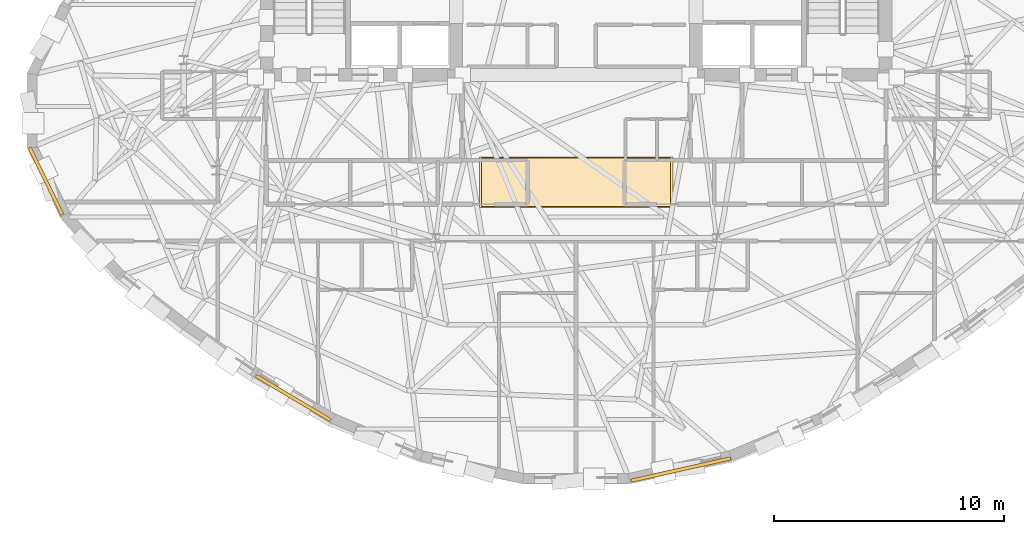
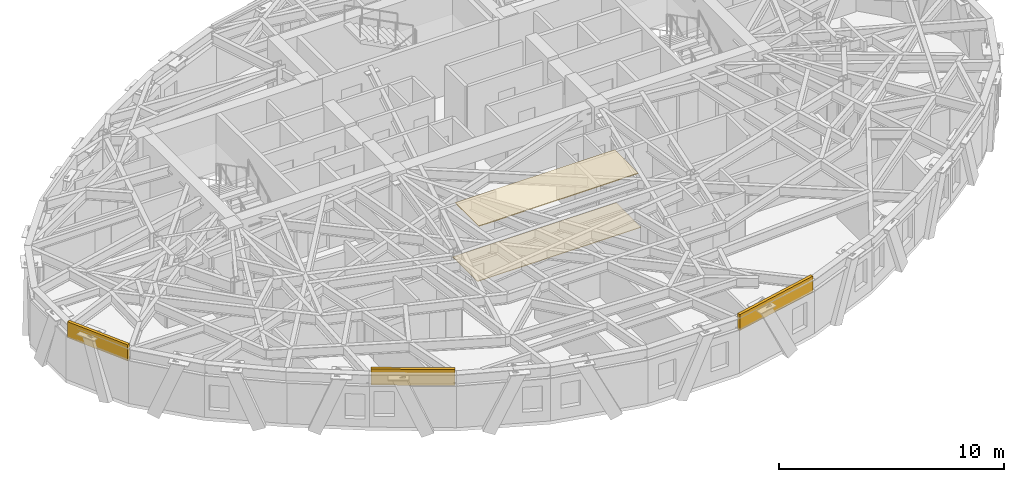
# One storey, part 11 of 13: 5 coverings.
"""IFC4 building model written with IfcOpenShell, lengths in metres."""

from ifc_helpers import new_model, si_unit, direction, frame, origin, origin_2d, place, context, subcontext, project, spatial, rectangle, extrude, material, layer, layer_set, type_object, element, save


model = new_model("IFC4")

# Units and contexts
model_context = context("Model", 3, precision=1e-05, world=origin(), true_north=direction((0.0, 1.0)))
body_context = subcontext(model_context, "Body", "Model", "MODEL_VIEW")
ifc_project = project(units=[si_unit("LENGTHUNIT", "METRE"), si_unit("AREAUNIT", "SQUARE_METRE"), si_unit("VOLUMEUNIT", "CUBIC_METRE"), si_unit("PLANEANGLEUNIT", "RADIAN"), si_unit("MASSUNIT", "GRAM", prefix="KILO")], contexts=[model_context])

# Site, building, storey
site_placement = place(None, origin())
site = spatial("IfcSite", under=ifc_project, at=site_placement, CompositionType="ELEMENT")
building_placement = place(site_placement, origin())
building = spatial("IfcBuilding", under=site, at=building_placement, Name="Keldmark Tower", CompositionType="ELEMENT")
storey_placement = place(building_placement, frame((0.0, 0.0, 210.0)))
storey = spatial("IfcBuildingStorey", under=building, at=storey_placement, Name="L58", CompositionType="ELEMENT", Elevation=210.0)

# Coverings
ifc_material_1 = material(Name="FSC-Certified Quarter-Sawn White Oak", Category="wood")
ifc_layer_1 = layer(ifc_material_1, 0.02197265625)
ifc_layer_set_1 = layer_set([ifc_layer_1], Name="FSC-Certified Quarter-Sawn White Oak")
covering_type_1 = type_object("IfcCoveringType", Name="Engineered White Oak Residence Flooring 22 mm", PredefinedType="FLOORING", material=ifc_layer_set_1)
covering_1_placement = place(storey_placement, frame((0.0, -3.10009765625, 0.0), z_axis=(0.0, 0.0, 1.0), x_axis=(1.0, 0.0, 0.0)))
element("IfcCovering", 1, at=covering_1_placement, inside=storey, type_object=covering_type_1, Name="L58 Lift Lobby Finish Flooring", PredefinedType="FLOORING", context=body_context, shape_type="SweptSolid", body=[
    extrude(rectangle(XDim=8.39990234375, YDim=2.199951171875, at=origin_2d()), origin(), (0.0, 0.0, 1.0), 0.030029296875),
])
ifc_material_2 = material(Name="Honed Kasota Buff Dolomitic Limestone", Category="masonry")
ifc_layer_2 = layer(ifc_material_2, 0.074951171875)
ifc_layer_set_2 = layer_set([ifc_layer_2], Name="Honed Kasota Buff Dolomitic Limestone")
covering_type_2 = type_object("IfcCoveringType", Name="Kasota Buff Limestone Spandrel Cladding Band", PredefinedType="CLADDING", material=ifc_layer_set_2)
covering_2_placement = place(storey_placement, frame((-23.0, -3.04833984375, 2.260009765625), z_axis=(0.0, 0.0, 1.0), x_axis=(0.439029879399, -0.898472462013, 0.0)))
element("IfcCovering", 2, at=covering_2_placement, inside=storey, type_object=covering_type_2, Name="L58 Kasota Limestone Spandrel Band 17", PredefinedType="CLADDING", context=body_context, shape_type="SweptSolid", body=[
    extrude(rectangle(XDim=3.22900390625, YDim=0.14990234375, at=origin_2d()), origin(), (0.0, 0.0, 1.0), 0.8701171875),
])
covering_3_placement = place(storey_placement, frame((-12.27197265625, -12.454345703125, 2.260009765625), z_axis=(0.0, 0.0, 1.0), x_axis=(0.859442104398, -0.511233086945, 0.0)))
element("IfcCovering", 3, at=covering_3_placement, inside=storey, type_object=covering_type_2, Name="L58 Kasota Limestone Spandrel Band 21", PredefinedType="CLADDING", context=body_context, shape_type="SweptSolid", body=[
    extrude(rectangle(XDim=3.744140625, YDim=0.14990234375, at=origin_2d()), origin(), (0.0, 0.0, 1.0), 0.8701171875),
])
covering_4_placement = place(storey_placement, frame((4.54150390625, -15.559814453125, 2.260009765625), z_axis=(0.0, 0.0, 1.0), x_axis=(0.97564952142, 0.219335385547, 0.0)))
element("IfcCovering", 4, at=covering_4_placement, inside=storey, type_object=covering_type_2, Name="L58 Kasota Limestone Spandrel Band 25", PredefinedType="CLADDING", context=body_context, shape_type="SweptSolid", body=[
    extrude(rectangle(XDim=4.42724609375, YDim=0.14990234375, at=origin_2d()), origin(), (0.0, 0.0, 1.0), 0.8701171875),
])
ifc_material_3 = material(Name="Perforated Acoustic Gypsum and Recycled Mineral Wool", Category="gypsum")
ifc_layer_3 = layer(ifc_material_3, 0.044921875)
ifc_layer_set_3 = layer_set([ifc_layer_3], Name="Perforated Acoustic Gypsum and Recycled Mineral Wool")
covering_type_3 = type_object("IfcCoveringType", Name="Suspended Acoustic Mineral-Fiber Ceiling 45 mm", PredefinedType="CEILING", material=ifc_layer_set_3)
covering_5_placement = place(storey_placement, frame((0.0, -3.10009765625, 2.925048828125), z_axis=(0.0, 0.0, 1.0), x_axis=(1.0, 0.0, 0.0)))
element("IfcCovering", 5, at=covering_5_placement, inside=storey, type_object=covering_type_3, Name="L58 Lift Lobby Acoustic Ceiling", PredefinedType="CEILING", context=body_context, shape_type="SweptSolid", body=[
    extrude(rectangle(XDim=8.199951171875, YDim=2.10009765625, at=origin_2d()), origin(), (0.0, 0.0, 1.0), 0.044921875),
])

save(model, "model.ifc")
